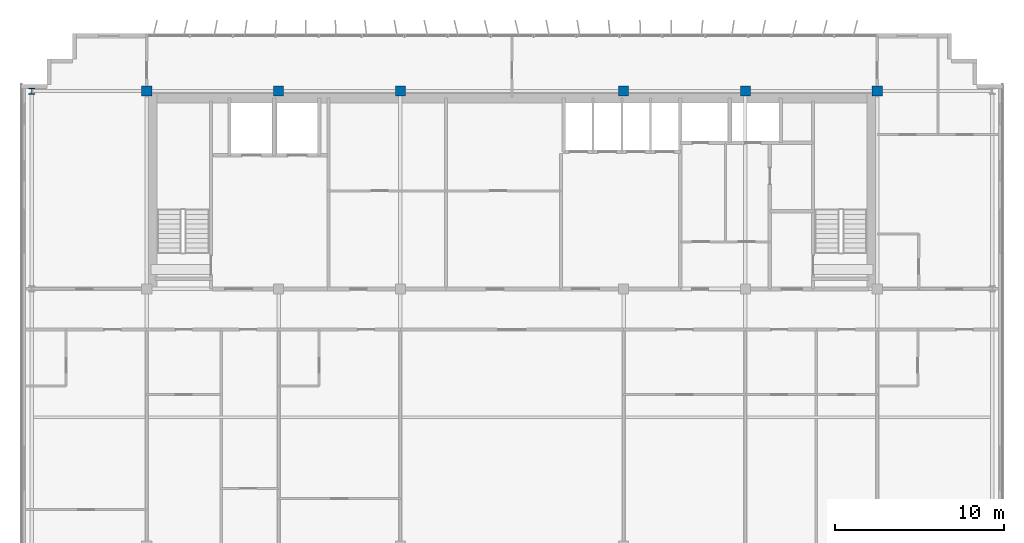
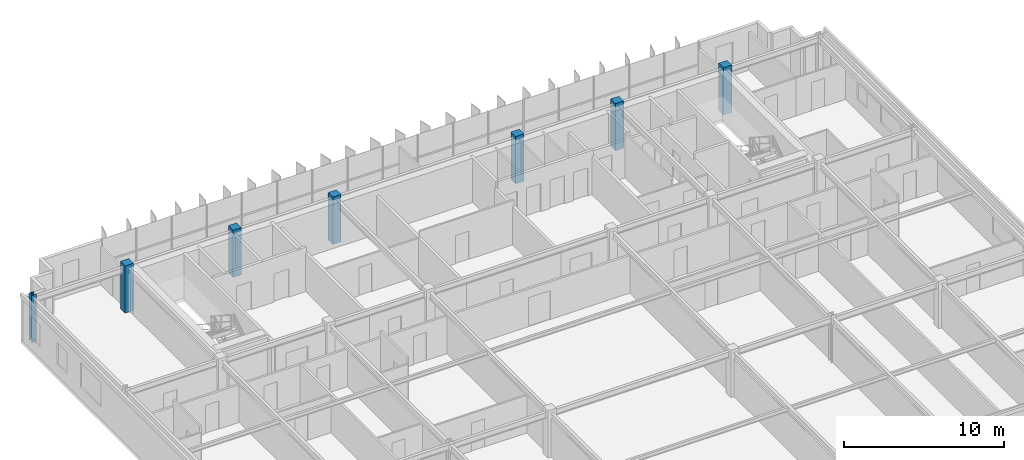
# One storey, part 3 of 22: 7 columns.
"""IFC4 building model written with IfcOpenShell, lengths in metres."""

from ifc_helpers import new_model, si_unit, direction, frame, origin, origin_2d, place, context, subcontext, project, spatial, rectangle, i_section, extrude, source, transform, mapped, material, material_profile, profile_set, type_object, element, save


model = new_model("IFC4")

# Units and contexts
model_context = context("Model", 3, precision=1e-05, world=origin(), true_north=direction((0.0, 1.0)))
body_context = subcontext(model_context, "Body", "Model", "MODEL_VIEW")
ifc_project = project(units=[si_unit("LENGTHUNIT", "METRE"), si_unit("AREAUNIT", "SQUARE_METRE"), si_unit("VOLUMEUNIT", "CUBIC_METRE"), si_unit("PLANEANGLEUNIT", "RADIAN"), si_unit("MASSUNIT", "GRAM", prefix="KILO")], contexts=[model_context])

# Site, building, storey
site_placement = place(None, origin())
site = spatial("IfcSite", under=ifc_project, at=site_placement, CompositionType="ELEMENT")
building_placement = place(site_placement, origin())
building = spatial("IfcBuilding", under=site, at=building_placement, Name="Trelvane Seafront Commons", CompositionType="ELEMENT")
storey_placement = place(building_placement, frame((0.0, 0.0, 270.300048828125)))
storey = spatial("IfcBuildingStorey", under=building, at=storey_placement, Name="L70", CompositionType="ELEMENT", Elevation=270.300048828125)

# Columns
ifc_material_1 = material(Name="Steel SM355 (S355)", Category="steel")
ifc_material_profile_1 = material_profile(ifc_material_1, i_section(OverallWidth=0.35009765625, OverallDepth=0.35009765625, WebThickness=0.01806640625, FlangeThickness=0.028076171875, at=origin_2d()), Name="HD-350x350x18x28")
ifc_profile_set_1 = profile_set([ifc_material_profile_1], Name="Steel SM355 (S355)")
column_type_1 = type_object("IfcColumnType", Name="STR-COL-HD350", PredefinedType="COLUMN", material=ifc_profile_set_1)
shared_shape_1 = source(origin(), body_context, "Body", "SweptSolid", [
    extrude(i_section(OverallWidth=0.35009765625, OverallDepth=0.35009765625, WebThickness=0.01806640625, FlangeThickness=0.028076171875, at=origin_2d()), origin(), (0.0, 0.0, 1.0), 3.599853515625),
])
column_placement = place(storey_placement, frame((8.800048828125, 45.10009765625, 0.0), z_axis=(0.0, 0.0, 1.0), x_axis=(1.0, 0.0, 0.0)))
element("IfcColumn", 1, at=column_placement, inside=storey, type_object=column_type_1, Name="L70 Column TC-CN8.8", PredefinedType="COLUMN", context=body_context, shape_type="MappedRepresentation", body=[
    mapped(shared_shape_1, transform((0.0, 0.0, 0.0), x_axis=(1.0, 0.0, 0.0), y_axis=(0.0, 1.0, 0.0), z_axis=(0.0, 0.0, 1.0), scale=1.0)),
])
ifc_material_2 = material(Name="Concrete C50/60", Category="concrete")
ifc_material_profile_2 = material_profile(ifc_material_2, rectangle(XDim=0.60009765625, YDim=0.60009765625, at=origin_2d()), Name="RC-600x600")
ifc_profile_set_2 = profile_set([ifc_material_profile_2], Name="Concrete C50/60")
column_type_2 = type_object("IfcColumnType", Name="STR-COL-RC600", PredefinedType="COLUMN", material=ifc_profile_set_2)
shared_shape_2 = source(origin(), body_context, "Body", "SweptSolid", [
    extrude(rectangle(XDim=0.60009765625, YDim=0.60009765625, at=origin_2d()), origin(), (0.0, 0.0, 1.0), 3.599853515625),
])
for number, where, z_axis, x_axis, name in (
    (2, (15.60009765625, 45.10009765625, 0.0), (0.0, 0.0, 1.0), (1.0, 0.0, 0.0), "L70 Column TC-CN15.6"),
    (3, (23.39990234375, 45.10009765625, 0.0), (0.0, 0.0, 1.0), (1.0, 0.0, 0.0), "L70 Column TC-CN23.4"),
    (4, (30.60009765625, 45.10009765625, 0.0), (0.0, 0.0, 1.0), (1.0, 0.0, 0.0), "L70 Column TC-CN30.6"),
    (5, (43.800048828125, 45.10009765625, 0.0), (0.0, 0.0, 1.0), (1.0, 0.0, 0.0), "L70 Column TC-CN43.8"),
    (6, (51.0, 45.10009765625, 0.0), (0.0, 0.0, 1.0), (1.0, 0.0, 0.0), "L70 Column TC-CN51.0"),
    (7, (58.800048828125, 45.10009765625, 0.0), (0.0, 0.0, 1.0), (1.0, 0.0, 0.0), "L70 Column TC-CN58.8"),
):
    element("IfcColumn", number, at=place(storey_placement, frame(where, z_axis=z_axis, x_axis=x_axis)), inside=storey, type_object=column_type_2, Name=name, PredefinedType="COLUMN", context=body_context, shape_type="MappedRepresentation", body=[
        mapped(shared_shape_2, transform((0.0, 0.0, 0.0), x_axis=(1.0, 0.0, 0.0), y_axis=(0.0, 1.0, 0.0), z_axis=(0.0, 0.0, 1.0), scale=1.0)),
    ])

save(model, "model.ifc")
